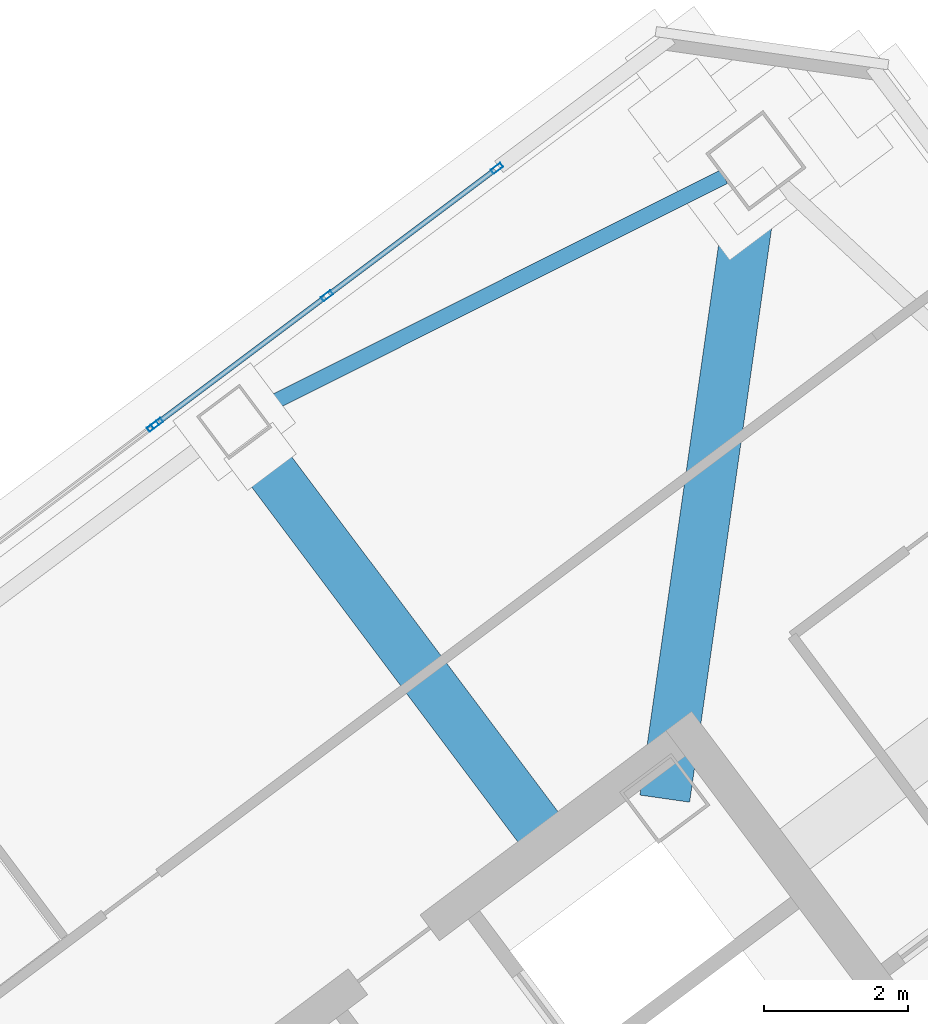
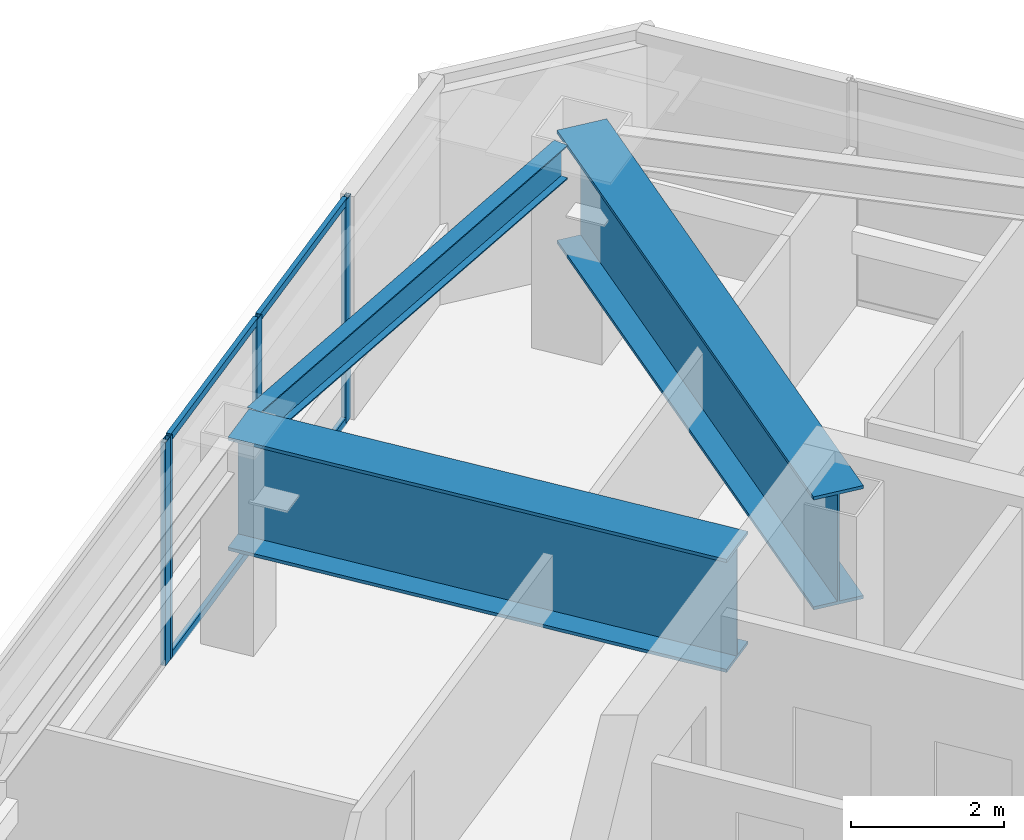
# One storey, part 26 of 40: 8 members, 3 beams, 2 elements without a shape of their own.
"""IFC4 building model written with IfcOpenShell, lengths in metres."""

from ifc_helpers import new_model, si_unit, direction, frame, origin, origin_2d, place, context, subcontext, project, spatial, hollow_rectangle, i_section, extrude, material, material_profile, profile_set, type_object, element, aggregate, save


model = new_model("IFC4")

# Units and contexts
model_context = context("Model", 3, precision=1e-05, world=origin(), true_north=direction((0.0, 1.0)))
body_context = subcontext(model_context, "Body", "Model", "MODEL_VIEW")
ifc_project = project(units=[si_unit("LENGTHUNIT", "METRE"), si_unit("AREAUNIT", "SQUARE_METRE"), si_unit("VOLUMEUNIT", "CUBIC_METRE"), si_unit("PLANEANGLEUNIT", "RADIAN"), si_unit("MASSUNIT", "GRAM", prefix="KILO")], contexts=[model_context])

# Site, building, storey
site_placement = place(None, origin())
site = spatial("IfcSite", under=ifc_project, at=site_placement, CompositionType="ELEMENT")
building_placement = place(site_placement, origin())
building = spatial("IfcBuilding", under=site, at=building_placement, Name="Tashvorn Skyway Center", CompositionType="ELEMENT")
storey_placement = place(building_placement, frame((0.0, 0.0, 229.050048828125)))
storey = spatial("IfcBuildingStorey", under=building, at=storey_placement, Name="L62", CompositionType="ELEMENT", Elevation=229.050048828125)

# Beams
ifc_material_1 = material(Name="Steel ASTM A572 Grade 50", Category="steel")
ifc_material_profile_1 = material_profile(ifc_material_1, i_section(OverallWidth=0.699951171875, OverallDepth=1.800048828125, WebThickness=0.031982421875, FlangeThickness=0.050048828125, at=origin_2d()), Name="PG1800x700")
ifc_profile_set_1 = profile_set([ifc_material_profile_1], Name="Steel ASTM A572 Grade 50")
beam_type_1 = type_object("IfcBeamType", Name="BM-BEAM-PG1800x700", PredefinedType="BEAM", material=ifc_profile_set_1)
beam_1_placement = place(storey_placement, frame((116.679931640625, 50.760009765625, 2.469970703125), z_axis=(-0.141425162373, -0.98994894992, 0.0), x_axis=(0.98994894992, -0.141425162373, 0.0)))
element("IfcBeam", 1, at=beam_1_placement, inside=storey, type_object=beam_type_1, Name="Tower 2 L62 Setback Transfer Girder MC-NE", PredefinedType="BEAM", context=body_context, shape_type="SweptSolid", body=[
    extrude(i_section(OverallWidth=0.699951171875, OverallDepth=1.800048828125, WebThickness=0.031982421875, FlangeThickness=0.050048828125, at=origin_2d()), origin(), (0.0, 0.0, 1.0), 8.980224609375),
])
beam_2_placement = place(storey_placement, frame((109.409912109375, 47.1201171875, 2.469970703125), z_axis=(0.600016574915, -0.799987568546, 0.0), x_axis=(0.799987568546, 0.600016574915, 0.0)))
element("IfcBeam", 2, at=beam_2_placement, inside=storey, type_object=beam_type_1, Name="Tower 2 L62 Setback Transfer Girder FC-N1", PredefinedType="BEAM", context=body_context, shape_type="SweptSolid", body=[
    extrude(i_section(OverallWidth=0.699951171875, OverallDepth=1.800048828125, WebThickness=0.031982421875, FlangeThickness=0.050048828125, at=origin_2d()), origin(), (0.0, 0.0, 1.0), 7.070068359375),
])
ifc_material_2 = material(Name="Steel ASTM A992 Grade 50", Category="steel")
ifc_material_profile_2 = material_profile(ifc_material_2, i_section(OverallWidth=0.2109375, OverallDepth=0.5390625, WebThickness=0.01171875, FlangeThickness=0.018798828125, at=origin_2d()), Name="W21X73")
ifc_profile_set_2 = profile_set([ifc_material_profile_2], Name="Steel ASTM A992 Grade 50")
beam_type_2 = type_object("IfcBeamType", Name="BM-SPANDREL-W21X73", PredefinedType="SPANDREL", material=ifc_profile_set_2)
beam_3_placement = place(storey_placement, frame((116.2373046875, 50.538330078125, 3.100341796875), z_axis=(-0.894178380472, -0.447710870872, 0.0), x_axis=(0.447710870872, -0.894178380472, 0.0)))
element("IfcBeam", 3, at=beam_3_placement, inside=storey, type_object=beam_type_2, Name="Tower 2 L62 Spandrel Beam 07", PredefinedType="SPANDREL", context=body_context, shape_type="SweptSolid", body=[
    extrude(i_section(OverallWidth=0.2109375, OverallDepth=0.5390625, WebThickness=0.01171875, FlangeThickness=0.018798828125, at=origin_2d()), origin(), (0.0, 0.0, 1.0), 7.26513671875),
])

# Curtain wall, member
ifc_material_3 = material(Name="Thermally broken bronze-anodized aluminium 6063-T6", Category="aluminium")
curtain_wall_type = type_object("IfcCurtainWallType", Name="CW-CW-Z5", PredefinedType="NOTDEFINED", material=ifc_material_3)
curtain_wall_1_placement = place(storey_placement, origin())
curtain_wall_1 = element("IfcCurtainWall", 4, at=curtain_wall_1_placement, inside=storey, type_object=curtain_wall_type, Name="Tower 2 L62 North Unitised Curtain Wall Glazing Group 2", PredefinedType="NOTDEFINED")
ifc_material_profile_3 = material_profile(ifc_material_3, hollow_rectangle(XDim=0.070068359375, YDim=0.1650390625, WallThickness=0.00390625, at=origin_2d()), Name="ALU-MULL-70x165")
ifc_profile_set_3 = profile_set([ifc_material_profile_3], Name="Thermally broken bronze-anodized aluminium 6063-T6")
member_type_1 = type_object("IfcMemberType", Name="CWM-CW-Z5", PredefinedType="MULLION", material=ifc_profile_set_3)
member_1_placement = place(storey_placement, frame((108.27880859375, 47.05908203125, 0.0), z_axis=(0.0, 0.0, 1.0), x_axis=(-0.599996439189, 0.800002670596, 0.0)))
member_1 = element("IfcMember", 5, at=member_1_placement, type_object=member_type_1, Name="CW-Z5 mullion 2", PredefinedType="MULLION", context=body_context, shape_type="SweptSolid", body=[
    extrude(hollow_rectangle(XDim=0.070068359375, YDim=0.1650390625, WallThickness=0.00390625, at=origin_2d()), origin(), (0.0, 0.0, 1.0), 3.550048828125),
])
aggregate(curtain_wall_1, [member_1])

# Curtain wall, members
curtain_wall_2_placement = place(storey_placement, origin())
curtain_wall_2 = element("IfcCurtainWall", 6, at=curtain_wall_2_placement, inside=storey, type_object=curtain_wall_type, Name="Tower 2 L62 North Unitised Curtain Wall Glazing Group 3", PredefinedType="NOTDEFINED")
member_2_placement = place(storey_placement, frame((108.334716796875, 47.10107421875, 0.0), z_axis=(0.0, 0.0, 1.0), x_axis=(-0.600002670604, 0.79999799704, 0.0)))
member_2 = element("IfcMember", 7, at=member_2_placement, type_object=member_type_1, Name="CW-Z5 mullion 1", PredefinedType="MULLION", context=body_context, shape_type="SweptSolid", body=[
    extrude(hollow_rectangle(XDim=0.070068359375, YDim=0.1650390625, WallThickness=0.00390625, at=origin_2d()), origin(), (0.0, 0.0, 1.0), 3.550048828125),
])
member_3_placement = place(storey_placement, frame((110.703125, 48.87744140625, 0.0), z_axis=(0.0, 0.0, 1.0), x_axis=(-0.600002670604, 0.79999799704, 0.0)))
member_3 = element("IfcMember", 8, at=member_3_placement, type_object=member_type_1, Name="CW-Z5 mullion 2", PredefinedType="MULLION", context=body_context, shape_type="SweptSolid", body=[
    extrude(hollow_rectangle(XDim=0.070068359375, YDim=0.1650390625, WallThickness=0.00390625, at=origin_2d()), origin(), (0.0, 0.0, 1.0), 3.550048828125),
])
member_4_placement = place(storey_placement, frame((113.071533203125, 50.65380859375, 0.0), z_axis=(0.0, 0.0, 1.0), x_axis=(-0.600002670604, 0.79999799704, 0.0)))
member_4 = element("IfcMember", 9, at=member_4_placement, type_object=member_type_1, Name="CW-Z5 mullion 3", PredefinedType="MULLION", context=body_context, shape_type="SweptSolid", body=[
    extrude(hollow_rectangle(XDim=0.070068359375, YDim=0.1650390625, WallThickness=0.00390625, at=origin_2d()), origin(), (0.0, 0.0, 1.0), 3.550048828125),
])
ifc_material_profile_4 = material_profile(ifc_material_3, hollow_rectangle(XDim=0.070068359375, YDim=0.114990234375, WallThickness=0.00390625, at=origin_2d()), Name="ALU-TRAN-70x115")
ifc_profile_set_4 = profile_set([ifc_material_profile_4], Name="Thermally broken bronze-anodized aluminium 6063-T6")
member_type_2 = type_object("IfcMemberType", Name="CWT-CW-Z5", PredefinedType="USERDEFINED", material=ifc_profile_set_4)
member_5_placement = place(storey_placement, frame((108.36279296875, 47.1220703125, 0.034912109375), z_axis=(0.799969591513, 0.600040542509, 0.0), x_axis=(-0.600040542509, 0.799969591513, 0.0)))
member_5 = element("IfcMember", 10, at=member_5_placement, type_object=member_type_2, Name="CW-Z5 transom 1.1", ObjectType="TRANSOM", PredefinedType="USERDEFINED", context=body_context, shape_type="SweptSolid", body=[
    extrude(hollow_rectangle(XDim=0.070068359375, YDim=0.114990234375, WallThickness=0.00390625, at=origin_2d()), origin(), (0.0, 0.0, 1.0), 2.890380859375),
])
member_6_placement = place(storey_placement, frame((108.36279296875, 47.1220703125, 3.514892578125), z_axis=(0.799969591513, 0.600040542509, 0.0), x_axis=(-0.600040542509, 0.799969591513, 0.0)))
member_6 = element("IfcMember", 11, at=member_6_placement, type_object=member_type_2, Name="CW-Z5 transom 1.2", ObjectType="TRANSOM", PredefinedType="USERDEFINED", context=body_context, shape_type="SweptSolid", body=[
    extrude(hollow_rectangle(XDim=0.070068359375, YDim=0.114990234375, WallThickness=0.00390625, at=origin_2d()), origin(), (0.0, 0.0, 1.0), 2.890380859375),
])
member_7_placement = place(storey_placement, frame((110.731201171875, 48.8984375, 0.034912109375), z_axis=(0.8, 0.6, 0.0), x_axis=(-0.6, 0.8, 0.0)))
member_7 = element("IfcMember", 12, at=member_7_placement, type_object=member_type_2, Name="CW-Z5 transom 2.1", ObjectType="TRANSOM", PredefinedType="USERDEFINED", context=body_context, shape_type="SweptSolid", body=[
    extrude(hollow_rectangle(XDim=0.070068359375, YDim=0.114990234375, WallThickness=0.00390625, at=origin_2d()), origin(), (0.0, 0.0, 1.0), 2.890625),
])
member_8_placement = place(storey_placement, frame((110.731201171875, 48.8984375, 3.514892578125), z_axis=(0.8, 0.6, 0.0), x_axis=(-0.6, 0.8, 0.0)))
member_8 = element("IfcMember", 13, at=member_8_placement, type_object=member_type_2, Name="CW-Z5 transom 2.2", ObjectType="TRANSOM", PredefinedType="USERDEFINED", context=body_context, shape_type="SweptSolid", body=[
    extrude(hollow_rectangle(XDim=0.070068359375, YDim=0.114990234375, WallThickness=0.00390625, at=origin_2d()), origin(), (0.0, 0.0, 1.0), 2.890625),
])
aggregate(curtain_wall_2, [member_2, member_3, member_4, member_5, member_6, member_7, member_8])

save(model, "model.ifc")
